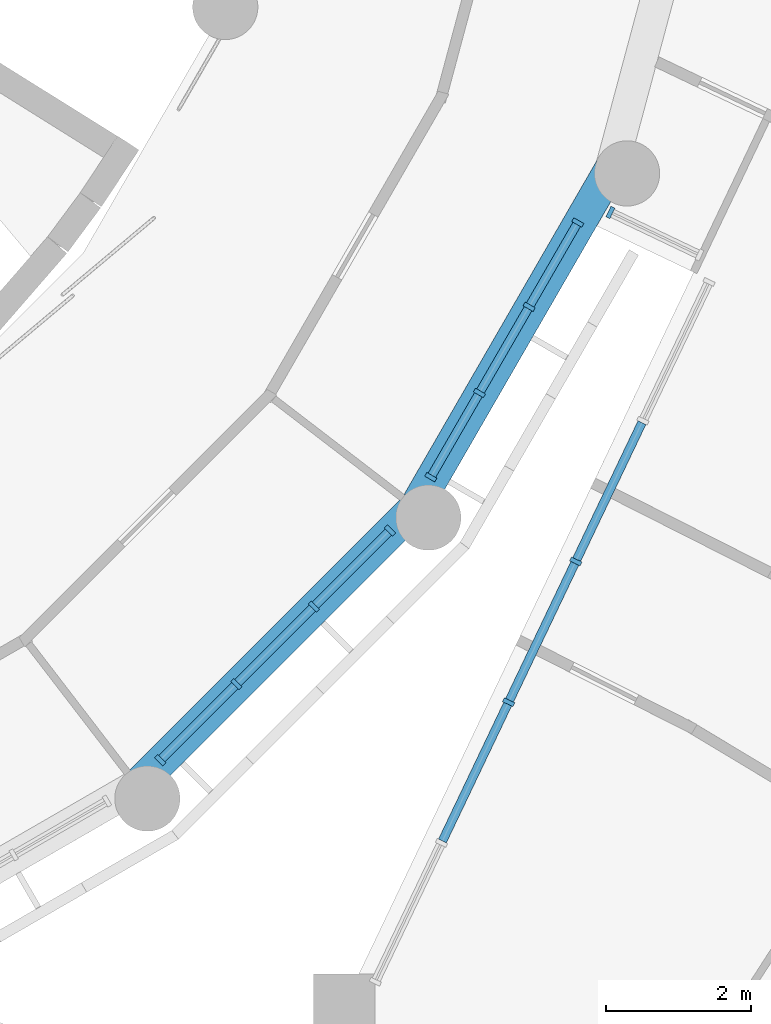
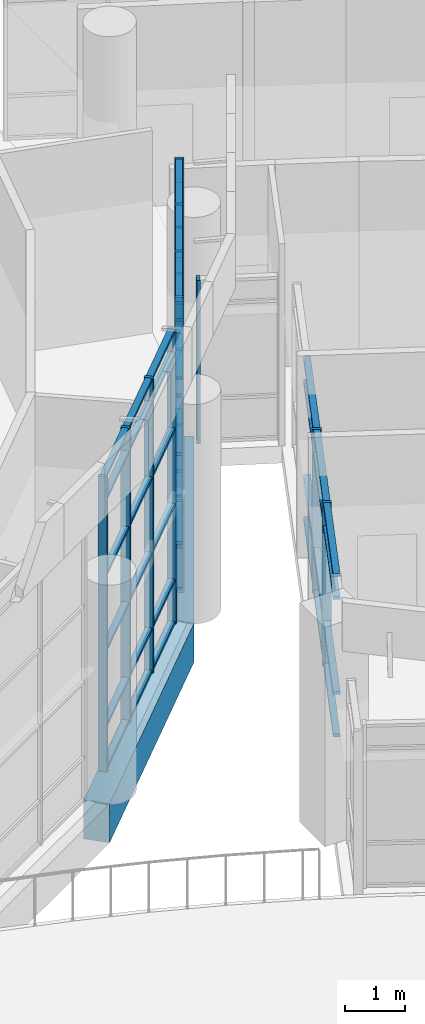
# One storey, part 14 of 136: 59 members, 2 beams, 4 elements without a shape of their own.
"""IFC4 building model written with IfcOpenShell, lengths in metres."""

from ifc_helpers import new_model, si_unit, direction, frame, origin, origin_2d, place, context, subcontext, project, spatial, rectangle, extrude, material, material_profile, profile_set, type_object, element, aggregate, save


model = new_model("IFC4")

# Units and contexts
model_context = context("Model", 3, precision=1e-05, world=origin(), true_north=direction((0.0, 1.0)))
body_context = subcontext(model_context, "Body", "Model", "MODEL_VIEW")
ifc_project = project(units=[si_unit("LENGTHUNIT", "METRE"), si_unit("AREAUNIT", "SQUARE_METRE"), si_unit("VOLUMEUNIT", "CUBIC_METRE"), si_unit("PLANEANGLEUNIT", "RADIAN"), si_unit("MASSUNIT", "GRAM", prefix="KILO")], contexts=[model_context])

# Site, building, storey
site_placement = place(None, origin())
site = spatial("IfcSite", under=ifc_project, at=site_placement, CompositionType="ELEMENT")
building_placement = place(site_placement, origin())
building = spatial("IfcBuilding", under=site, at=building_placement, Name="Bougainvillea Quay General Hospital", CompositionType="ELEMENT")
storey_placement = place(building_placement, frame((0.0, 0.0, 5.39990234375)))
storey = spatial("IfcBuildingStorey", under=building, at=storey_placement, Name="L01", CompositionType="ELEMENT", Elevation=5.39990234375)

# Curtain wall, member
ifc_material_1 = material(Name="Aluminium curtain wall system, powder-coated glazed", Category="aluminium")
curtain_wall_type_1 = type_object("IfcCurtainWallType", Name="Unitised curtain wall CW-1422", PredefinedType="NOTDEFINED", material=ifc_material_1)
curtain_wall_1_placement = place(storey_placement, origin())
curtain_wall_1 = element("IfcCurtainWall", 1, at=curtain_wall_1_placement, inside=storey, type_object=curtain_wall_type_1, Name="CW-AE 00", PredefinedType="NOTDEFINED")
ifc_material_2 = material(Name="Aluminium mullion, powder-coated charcoal", Category="aluminium")
ifc_material_profile_1 = material_profile(ifc_material_2, rectangle(XDim=0.159912109375, YDim=0.06005859375, at=origin_2d()))
ifc_profile_set_1 = profile_set([ifc_material_profile_1], Name="Aluminium mullion, powder-coated charcoal")
member_type_1 = type_object("IfcMemberType", Name="Curtain wall mullion 160x60", PredefinedType="MULLION", material=ifc_profile_set_1)
member_1_placement = place(storey_placement, frame((128.371826171875, 65.4267578125, 0.0), z_axis=(0.0, 0.0, 1.0), x_axis=(0.430534245195, 0.902574242771, 0.0)))
member_1 = element("IfcMember", 2, at=member_1_placement, type_object=member_type_1, Name="CW-AE mullion 1", PredefinedType="MULLION", context=body_context, shape_type="SweptSolid", body=[
    extrude(rectangle(XDim=0.159912109375, YDim=0.06005859375, at=origin_2d()), origin(), (0.0, 0.0, 1.0), 3.35009765625),
])
aggregate(curtain_wall_1, [member_1])

# Curtain wall, members
curtain_wall_type_2 = type_object("IfcCurtainWallType", Name="Unitised curtain wall CW-2152", PredefinedType="NOTDEFINED", material=ifc_material_1)
curtain_wall_2_placement = place(storey_placement, origin())
curtain_wall_2 = element("IfcCurtainWall", 3, at=curtain_wall_2_placement, inside=storey, type_object=curtain_wall_type_2, Name="CW-AE 00", PredefinedType="NOTDEFINED")
member_2_placement = place(storey_placement, frame((127.8935546875, 60.611328125, 0.0), z_axis=(0.0, 0.0, 1.0), x_axis=(0.902576055431, -0.430530445105, 0.0)))
member_2 = element("IfcMember", 4, at=member_2_placement, type_object=member_type_1, Name="CW-AE mullion 3", PredefinedType="MULLION", context=body_context, shape_type="SweptSolid", body=[
    extrude(rectangle(XDim=0.159912109375, YDim=0.06005859375, at=origin_2d()), origin(), (0.0, 0.0, 1.0), 3.35009765625),
])
member_3_placement = place(storey_placement, frame((126.96728515625, 58.669921875, 0.0), z_axis=(0.0, 0.0, 1.0), x_axis=(0.902576055431, -0.430530445105, 0.0)))
member_3 = element("IfcMember", 5, at=member_3_placement, type_object=member_type_1, Name="CW-AE mullion 4", PredefinedType="MULLION", context=body_context, shape_type="SweptSolid", body=[
    extrude(rectangle(XDim=0.159912109375, YDim=0.06005859375, at=origin_2d()), origin(), (0.0, 0.0, 1.0), 3.35009765625),
])

curtain_wall_type_3 = type_object("IfcCurtainWallType", Name="Unitised curtain wall CW-1514", PredefinedType="NOTDEFINED", material=ifc_material_1)
curtain_wall_3_placement = place(storey_placement, origin())
curtain_wall_3 = element("IfcCurtainWall", 6, at=curtain_wall_3_placement, inside=storey, type_object=curtain_wall_type_3, Name="CW-D 00", PredefinedType="NOTDEFINED")
member_4_placement = place(storey_placement, frame((122.160888671875, 57.870361328125, 0.0), z_axis=(0.0, 0.0, 1.0), x_axis=(-0.707106781187, 0.707106781187, 0.0)))
member_4 = element("IfcMember", 7, at=member_4_placement, type_object=member_type_1, Name="CW-D mullion 1", PredefinedType="MULLION", context=body_context, shape_type="SweptSolid", body=[
    extrude(rectangle(XDim=0.159912109375, YDim=0.06005859375, at=origin_2d()), origin(), (0.0, 0.0, 1.0), 6.050048828125),
])
member_5_placement = place(storey_placement, frame((123.2099609375, 58.919677734375, 0.0), z_axis=(0.0, 0.0, 1.0), x_axis=(-0.707106781187, 0.707106781187, 0.0)))
member_5 = element("IfcMember", 8, at=member_5_placement, type_object=member_type_1, Name="CW-D mullion 2", PredefinedType="MULLION", context=body_context, shape_type="SweptSolid", body=[
    extrude(rectangle(XDim=0.159912109375, YDim=0.06005859375, at=origin_2d()), origin(), (0.0, 0.0, 1.0), 6.050048828125),
])
member_6_placement = place(storey_placement, frame((124.280517578125, 59.989990234375, 0.0), z_axis=(0.0, 0.0, 1.0), x_axis=(-0.707106781187, 0.707106781187, 0.0)))
member_6 = element("IfcMember", 9, at=member_6_placement, type_object=member_type_1, Name="CW-D mullion 3", PredefinedType="MULLION", context=body_context, shape_type="SweptSolid", body=[
    extrude(rectangle(XDim=0.159912109375, YDim=0.06005859375, at=origin_2d()), origin(), (0.0, 0.0, 1.0), 6.050048828125),
])
member_7_placement = place(storey_placement, frame((125.32958984375, 61.039306640625, 0.0), z_axis=(0.0, 0.0, 1.0), x_axis=(-0.707106781187, 0.707106781187, 0.0)))
member_7 = element("IfcMember", 10, at=member_7_placement, type_object=member_type_1, Name="CW-D mullion 4", PredefinedType="MULLION", context=body_context, shape_type="SweptSolid", body=[
    extrude(rectangle(XDim=0.159912109375, YDim=0.06005859375, at=origin_2d()), origin(), (0.0, 0.0, 1.0), 6.050048828125),
])

curtain_wall_type_4 = type_object("IfcCurtainWallType", Name="Unitised curtain wall CW-1373", PredefinedType="NOTDEFINED", material=ifc_material_1)
curtain_wall_4_placement = place(storey_placement, origin())
curtain_wall_4 = element("IfcCurtainWall", 11, at=curtain_wall_4_placement, inside=storey, type_object=curtain_wall_type_4, Name="CW-D 00", PredefinedType="NOTDEFINED")
member_8_placement = place(storey_placement, frame((125.8935546875, 61.77392578125, 0.0), z_axis=(0.0, 0.0, 1.0), x_axis=(-0.866047615473, 0.499961526253, 0.0)))
member_8 = element("IfcMember", 12, at=member_8_placement, type_object=member_type_1, Name="CW-D mullion 1", PredefinedType="MULLION", context=body_context, shape_type="SweptSolid", body=[
    extrude(rectangle(XDim=0.159912109375, YDim=0.06005859375, at=origin_2d()), origin(), (0.0, 0.0, 1.0), 6.050048828125),
])
member_9_placement = place(storey_placement, frame((126.564453125, 62.936279296875, 0.0), z_axis=(0.0, 0.0, 1.0), x_axis=(-0.866047615473, 0.499961526253, 0.0)))
member_9 = element("IfcMember", 13, at=member_9_placement, type_object=member_type_1, Name="CW-D mullion 2", PredefinedType="MULLION", context=body_context, shape_type="SweptSolid", body=[
    extrude(rectangle(XDim=0.159912109375, YDim=0.06005859375, at=origin_2d()), origin(), (0.0, 0.0, 1.0), 6.050048828125),
])
member_10_placement = place(storey_placement, frame((127.25048828125, 64.124755859375, 0.0), z_axis=(0.0, 0.0, 1.0), x_axis=(-0.866047615473, 0.499961526253, 0.0)))
member_10 = element("IfcMember", 14, at=member_10_placement, type_object=member_type_1, Name="CW-D mullion 3", PredefinedType="MULLION", context=body_context, shape_type="SweptSolid", body=[
    extrude(rectangle(XDim=0.159912109375, YDim=0.06005859375, at=origin_2d()), origin(), (0.0, 0.0, 1.0), 6.050048828125),
])
member_11_placement = place(storey_placement, frame((127.92138671875, 65.287109375, 0.0), z_axis=(0.0, 0.0, 1.0), x_axis=(-0.866047615473, 0.499961526253, 0.0)))
member_11 = element("IfcMember", 15, at=member_11_placement, type_object=member_type_1, Name="CW-D mullion 4", PredefinedType="MULLION", context=body_context, shape_type="SweptSolid", body=[
    extrude(rectangle(XDim=0.159912109375, YDim=0.06005859375, at=origin_2d()), origin(), (0.0, 0.0, 1.0), 6.050048828125),
])

# Member
ifc_material_3 = material(Name="Aluminium transom, powder-coated charcoal", Category="aluminium")
ifc_material_profile_2 = material_profile(ifc_material_3, rectangle(XDim=0.1201171875, YDim=0.06005859375, at=origin_2d()))
ifc_profile_set_2 = profile_set([ifc_material_profile_2], Name="Aluminium transom, powder-coated charcoal")
member_type_2 = type_object("IfcMemberType", Name="Curtain wall transom 120x60", PredefinedType="USERDEFINED", material=ifc_profile_set_2)
member_12_placement = place(storey_placement, frame((128.806640625, 62.52587890625, 0.030029296875), z_axis=(-0.430463744841, -0.902607868555, 0.0), x_axis=(0.902607868555, -0.430463744841, 0.0)))
member_12 = element("IfcMember", 16, at=member_12_placement, type_object=member_type_2, Name="CW-AE transom 2.1", ObjectType="TRANSOM", PredefinedType="USERDEFINED", context=body_context, shape_type="SweptSolid", body=[
    extrude(rectangle(XDim=0.1201171875, YDim=0.06005859375, at=origin_2d()), origin(), (0.0, 0.0, 1.0), 2.091064453125),
])

member_13_placement = place(storey_placement, frame((128.806640625, 62.52587890625, 0.900146484375), z_axis=(-0.430463744841, -0.902607868555, 0.0), x_axis=(0.902607868555, -0.430463744841, 0.0)))
member_13 = element("IfcMember", 17, at=member_13_placement, type_object=member_type_2, Name="CW-AE transom 2.2", ObjectType="TRANSOM", PredefinedType="USERDEFINED", context=body_context, shape_type="SweptSolid", body=[
    extrude(rectangle(XDim=0.1201171875, YDim=0.06005859375, at=origin_2d()), origin(), (0.0, 0.0, 1.0), 2.091064453125),
])

member_14_placement = place(storey_placement, frame((128.806640625, 62.52587890625, 2.85009765625), z_axis=(-0.430463744841, -0.902607868555, 0.0), x_axis=(0.902607868555, -0.430463744841, 0.0)))
member_14 = element("IfcMember", 18, at=member_14_placement, type_object=member_type_2, Name="CW-AE transom 2.3", ObjectType="TRANSOM", PredefinedType="USERDEFINED", context=body_context, shape_type="SweptSolid", body=[
    extrude(rectangle(XDim=0.1201171875, YDim=0.06005859375, at=origin_2d()), origin(), (0.0, 0.0, 1.0), 2.091064453125),
])

member_15_placement = place(storey_placement, frame((128.806640625, 62.52587890625, 3.320068359375), z_axis=(-0.430463744841, -0.902607868555, 0.0), x_axis=(0.902607868555, -0.430463744841, 0.0)))
member_15 = element("IfcMember", 19, at=member_15_placement, type_object=member_type_2, Name="CW-AE transom 2.4", ObjectType="TRANSOM", PredefinedType="USERDEFINED", context=body_context, shape_type="SweptSolid", body=[
    extrude(rectangle(XDim=0.1201171875, YDim=0.06005859375, at=origin_2d()), origin(), (0.0, 0.0, 1.0), 2.091064453125),
])

member_16_placement = place(storey_placement, frame((127.880615234375, 60.584228515625, 0.030029296875), z_axis=(-0.430604227867, -0.902540857215, 0.0), x_axis=(0.902540857215, -0.430604227867, 0.0)))
member_16 = element("IfcMember", 20, at=member_16_placement, type_object=member_type_2, Name="CW-AE transom 3.1", ObjectType="TRANSOM", PredefinedType="USERDEFINED", context=body_context, shape_type="SweptSolid", body=[
    extrude(rectangle(XDim=0.1201171875, YDim=0.06005859375, at=origin_2d()), origin(), (0.0, 0.0, 1.0), 2.091064453125),
])

member_17_placement = place(storey_placement, frame((127.880615234375, 60.584228515625, 0.900146484375), z_axis=(-0.430604227867, -0.902540857215, 0.0), x_axis=(0.902540857215, -0.430604227867, 0.0)))
member_17 = element("IfcMember", 21, at=member_17_placement, type_object=member_type_2, Name="CW-AE transom 3.2", ObjectType="TRANSOM", PredefinedType="USERDEFINED", context=body_context, shape_type="SweptSolid", body=[
    extrude(rectangle(XDim=0.1201171875, YDim=0.06005859375, at=origin_2d()), origin(), (0.0, 0.0, 1.0), 2.091064453125),
])

member_18_placement = place(storey_placement, frame((127.880615234375, 60.584228515625, 2.85009765625), z_axis=(-0.430604227867, -0.902540857215, 0.0), x_axis=(0.902540857215, -0.430604227867, 0.0)))
member_18 = element("IfcMember", 22, at=member_18_placement, type_object=member_type_2, Name="CW-AE transom 3.3", ObjectType="TRANSOM", PredefinedType="USERDEFINED", context=body_context, shape_type="SweptSolid", body=[
    extrude(rectangle(XDim=0.1201171875, YDim=0.06005859375, at=origin_2d()), origin(), (0.0, 0.0, 1.0), 2.091064453125),
])

member_19_placement = place(storey_placement, frame((127.880615234375, 60.584228515625, 3.320068359375), z_axis=(-0.430604227867, -0.902540857215, 0.0), x_axis=(0.902540857215, -0.430604227867, 0.0)))
member_19 = element("IfcMember", 23, at=member_19_placement, type_object=member_type_2, Name="CW-AE transom 3.4", ObjectType="TRANSOM", PredefinedType="USERDEFINED", context=body_context, shape_type="SweptSolid", body=[
    extrude(rectangle(XDim=0.1201171875, YDim=0.06005859375, at=origin_2d()), origin(), (0.0, 0.0, 1.0), 2.091064453125),
])

member_20_placement = place(storey_placement, frame((126.95458984375, 58.642822265625, 0.030029296875), z_axis=(-0.430604227867, -0.902540857215, 0.0), x_axis=(0.902540857215, -0.430604227867, 0.0)))
member_20 = element("IfcMember", 24, at=member_20_placement, type_object=member_type_2, Name="CW-AE transom 4.1", ObjectType="TRANSOM", PredefinedType="USERDEFINED", context=body_context, shape_type="SweptSolid", body=[
    extrude(rectangle(XDim=0.1201171875, YDim=0.06005859375, at=origin_2d()), origin(), (0.0, 0.0, 1.0), 2.091064453125),
])

member_21_placement = place(storey_placement, frame((126.95458984375, 58.642822265625, 0.900146484375), z_axis=(-0.430604227867, -0.902540857215, 0.0), x_axis=(0.902540857215, -0.430604227867, 0.0)))
member_21 = element("IfcMember", 25, at=member_21_placement, type_object=member_type_2, Name="CW-AE transom 4.2", ObjectType="TRANSOM", PredefinedType="USERDEFINED", context=body_context, shape_type="SweptSolid", body=[
    extrude(rectangle(XDim=0.1201171875, YDim=0.06005859375, at=origin_2d()), origin(), (0.0, 0.0, 1.0), 2.091064453125),
])

member_22_placement = place(storey_placement, frame((126.95458984375, 58.642822265625, 2.85009765625), z_axis=(-0.430604227867, -0.902540857215, 0.0), x_axis=(0.902540857215, -0.430604227867, 0.0)))
member_22 = element("IfcMember", 26, at=member_22_placement, type_object=member_type_2, Name="CW-AE transom 4.3", ObjectType="TRANSOM", PredefinedType="USERDEFINED", context=body_context, shape_type="SweptSolid", body=[
    extrude(rectangle(XDim=0.1201171875, YDim=0.06005859375, at=origin_2d()), origin(), (0.0, 0.0, 1.0), 2.091064453125),
])

member_23_placement = place(storey_placement, frame((126.95458984375, 58.642822265625, 3.320068359375), z_axis=(-0.430604227867, -0.902540857215, 0.0), x_axis=(0.902540857215, -0.430604227867, 0.0)))
member_23 = element("IfcMember", 27, at=member_23_placement, type_object=member_type_2, Name="CW-AE transom 4.4", ObjectType="TRANSOM", PredefinedType="USERDEFINED", context=body_context, shape_type="SweptSolid", body=[
    extrude(rectangle(XDim=0.1201171875, YDim=0.06005859375, at=origin_2d()), origin(), (0.0, 0.0, 1.0), 2.091064453125),
])

aggregate(curtain_wall_2, [member_2, member_3, member_12, member_13, member_14, member_15, member_16, member_17, member_18, member_19, member_20, member_21, member_22, member_23])

member_24_placement = place(storey_placement, frame((122.181884765625, 57.8916015625, 0.030029296875), z_axis=(0.707106781187, 0.707106781187, 0.0), x_axis=(-0.707106781187, 0.707106781187, 0.0)))
member_24 = element("IfcMember", 28, at=member_24_placement, type_object=member_type_2, Name="CW-D transom 1.1", ObjectType="TRANSOM", PredefinedType="USERDEFINED", context=body_context, shape_type="SweptSolid", body=[
    extrude(rectangle(XDim=0.1201171875, YDim=0.06005859375, at=origin_2d()), origin(), (0.0, 0.0, 1.0), 1.423828125),
])

member_25_placement = place(storey_placement, frame((122.181884765625, 57.8916015625, 0.900146484375), z_axis=(0.707106781187, 0.707106781187, 0.0), x_axis=(-0.707106781187, 0.707106781187, 0.0)))
member_25 = element("IfcMember", 29, at=member_25_placement, type_object=member_type_2, Name="CW-D transom 1.2", ObjectType="TRANSOM", PredefinedType="USERDEFINED", context=body_context, shape_type="SweptSolid", body=[
    extrude(rectangle(XDim=0.1201171875, YDim=0.06005859375, at=origin_2d()), origin(), (0.0, 0.0, 1.0), 1.423828125),
])

member_26_placement = place(storey_placement, frame((122.181884765625, 57.8916015625, 2.4501953125), z_axis=(0.707106781187, 0.707106781187, 0.0), x_axis=(-0.707106781187, 0.707106781187, 0.0)))
member_26 = element("IfcMember", 30, at=member_26_placement, type_object=member_type_2, Name="CW-D transom 1.3", ObjectType="TRANSOM", PredefinedType="USERDEFINED", context=body_context, shape_type="SweptSolid", body=[
    extrude(rectangle(XDim=0.1201171875, YDim=0.06005859375, at=origin_2d()), origin(), (0.0, 0.0, 1.0), 1.423828125),
])

member_27_placement = place(storey_placement, frame((122.181884765625, 57.8916015625, 4.0), z_axis=(0.707106781187, 0.707106781187, 0.0), x_axis=(-0.707106781187, 0.707106781187, 0.0)))
member_27 = element("IfcMember", 31, at=member_27_placement, type_object=member_type_2, Name="CW-D transom 1.4", ObjectType="TRANSOM", PredefinedType="USERDEFINED", context=body_context, shape_type="SweptSolid", body=[
    extrude(rectangle(XDim=0.1201171875, YDim=0.06005859375, at=origin_2d()), origin(), (0.0, 0.0, 1.0), 1.423828125),
])

member_28_placement = place(storey_placement, frame((122.181884765625, 57.8916015625, 5.550048828125), z_axis=(0.707106781187, 0.707106781187, 0.0), x_axis=(-0.707106781187, 0.707106781187, 0.0)))
member_28 = element("IfcMember", 32, at=member_28_placement, type_object=member_type_2, Name="CW-D transom 1.5", ObjectType="TRANSOM", PredefinedType="USERDEFINED", context=body_context, shape_type="SweptSolid", body=[
    extrude(rectangle(XDim=0.1201171875, YDim=0.06005859375, at=origin_2d()), origin(), (0.0, 0.0, 1.0), 1.423828125),
])

member_29_placement = place(storey_placement, frame((122.181884765625, 57.8916015625, 6.02001953125), z_axis=(0.707106781187, 0.707106781187, 0.0), x_axis=(-0.707106781187, 0.707106781187, 0.0)))
member_29 = element("IfcMember", 33, at=member_29_placement, type_object=member_type_2, Name="CW-D transom 1.6", ObjectType="TRANSOM", PredefinedType="USERDEFINED", context=body_context, shape_type="SweptSolid", body=[
    extrude(rectangle(XDim=0.1201171875, YDim=0.06005859375, at=origin_2d()), origin(), (0.0, 0.0, 1.0), 1.423828125),
])

member_30_placement = place(storey_placement, frame((123.231201171875, 58.940673828125, 0.030029296875), z_axis=(0.707106781187, 0.707106781187, 0.0), x_axis=(-0.707106781187, 0.707106781187, 0.0)))
member_30 = element("IfcMember", 34, at=member_30_placement, type_object=member_type_2, Name="CW-D transom 2.1", ObjectType="TRANSOM", PredefinedType="USERDEFINED", context=body_context, shape_type="SweptSolid", body=[
    extrude(rectangle(XDim=0.1201171875, YDim=0.06005859375, at=origin_2d()), origin(), (0.0, 0.0, 1.0), 1.453857421875),
])

member_31_placement = place(storey_placement, frame((123.231201171875, 58.940673828125, 0.900146484375), z_axis=(0.707106781187, 0.707106781187, 0.0), x_axis=(-0.707106781187, 0.707106781187, 0.0)))
member_31 = element("IfcMember", 35, at=member_31_placement, type_object=member_type_2, Name="CW-D transom 2.2", ObjectType="TRANSOM", PredefinedType="USERDEFINED", context=body_context, shape_type="SweptSolid", body=[
    extrude(rectangle(XDim=0.1201171875, YDim=0.06005859375, at=origin_2d()), origin(), (0.0, 0.0, 1.0), 1.453857421875),
])

member_32_placement = place(storey_placement, frame((123.231201171875, 58.940673828125, 2.4501953125), z_axis=(0.707106781187, 0.707106781187, 0.0), x_axis=(-0.707106781187, 0.707106781187, 0.0)))
member_32 = element("IfcMember", 36, at=member_32_placement, type_object=member_type_2, Name="CW-D transom 2.3", ObjectType="TRANSOM", PredefinedType="USERDEFINED", context=body_context, shape_type="SweptSolid", body=[
    extrude(rectangle(XDim=0.1201171875, YDim=0.06005859375, at=origin_2d()), origin(), (0.0, 0.0, 1.0), 1.453857421875),
])

member_33_placement = place(storey_placement, frame((123.231201171875, 58.940673828125, 4.0), z_axis=(0.707106781187, 0.707106781187, 0.0), x_axis=(-0.707106781187, 0.707106781187, 0.0)))
member_33 = element("IfcMember", 37, at=member_33_placement, type_object=member_type_2, Name="CW-D transom 2.4", ObjectType="TRANSOM", PredefinedType="USERDEFINED", context=body_context, shape_type="SweptSolid", body=[
    extrude(rectangle(XDim=0.1201171875, YDim=0.06005859375, at=origin_2d()), origin(), (0.0, 0.0, 1.0), 1.453857421875),
])

member_34_placement = place(storey_placement, frame((123.231201171875, 58.940673828125, 5.550048828125), z_axis=(0.707106781187, 0.707106781187, 0.0), x_axis=(-0.707106781187, 0.707106781187, 0.0)))
member_34 = element("IfcMember", 38, at=member_34_placement, type_object=member_type_2, Name="CW-D transom 2.5", ObjectType="TRANSOM", PredefinedType="USERDEFINED", context=body_context, shape_type="SweptSolid", body=[
    extrude(rectangle(XDim=0.1201171875, YDim=0.06005859375, at=origin_2d()), origin(), (0.0, 0.0, 1.0), 1.453857421875),
])

member_35_placement = place(storey_placement, frame((123.231201171875, 58.940673828125, 6.02001953125), z_axis=(0.707106781187, 0.707106781187, 0.0), x_axis=(-0.707106781187, 0.707106781187, 0.0)))
member_35 = element("IfcMember", 39, at=member_35_placement, type_object=member_type_2, Name="CW-D transom 2.6", ObjectType="TRANSOM", PredefinedType="USERDEFINED", context=body_context, shape_type="SweptSolid", body=[
    extrude(rectangle(XDim=0.1201171875, YDim=0.06005859375, at=origin_2d()), origin(), (0.0, 0.0, 1.0), 1.453857421875),
])

member_36_placement = place(storey_placement, frame((124.3017578125, 60.01123046875, 0.030029296875), z_axis=(0.707021034897, 0.707192517079, 0.0), x_axis=(-0.707192517079, 0.707021034897, 0.0)))
member_36 = element("IfcMember", 40, at=member_36_placement, type_object=member_type_2, Name="CW-D transom 3.1", ObjectType="TRANSOM", PredefinedType="USERDEFINED", context=body_context, shape_type="SweptSolid", body=[
    extrude(rectangle(XDim=0.1201171875, YDim=0.06005859375, at=origin_2d()), origin(), (0.0, 0.0, 1.0), 1.423828125),
])

member_37_placement = place(storey_placement, frame((124.3017578125, 60.01123046875, 0.900146484375), z_axis=(0.707021034897, 0.707192517079, 0.0), x_axis=(-0.707192517079, 0.707021034897, 0.0)))
member_37 = element("IfcMember", 41, at=member_37_placement, type_object=member_type_2, Name="CW-D transom 3.2", ObjectType="TRANSOM", PredefinedType="USERDEFINED", context=body_context, shape_type="SweptSolid", body=[
    extrude(rectangle(XDim=0.1201171875, YDim=0.06005859375, at=origin_2d()), origin(), (0.0, 0.0, 1.0), 1.423828125),
])

member_38_placement = place(storey_placement, frame((124.3017578125, 60.01123046875, 2.4501953125), z_axis=(0.707021034897, 0.707192517079, 0.0), x_axis=(-0.707192517079, 0.707021034897, 0.0)))
member_38 = element("IfcMember", 42, at=member_38_placement, type_object=member_type_2, Name="CW-D transom 3.3", ObjectType="TRANSOM", PredefinedType="USERDEFINED", context=body_context, shape_type="SweptSolid", body=[
    extrude(rectangle(XDim=0.1201171875, YDim=0.06005859375, at=origin_2d()), origin(), (0.0, 0.0, 1.0), 1.423828125),
])

member_39_placement = place(storey_placement, frame((124.3017578125, 60.01123046875, 4.0), z_axis=(0.707021034897, 0.707192517079, 0.0), x_axis=(-0.707192517079, 0.707021034897, 0.0)))
member_39 = element("IfcMember", 43, at=member_39_placement, type_object=member_type_2, Name="CW-D transom 3.4", ObjectType="TRANSOM", PredefinedType="USERDEFINED", context=body_context, shape_type="SweptSolid", body=[
    extrude(rectangle(XDim=0.1201171875, YDim=0.06005859375, at=origin_2d()), origin(), (0.0, 0.0, 1.0), 1.423828125),
])

member_40_placement = place(storey_placement, frame((124.3017578125, 60.01123046875, 5.550048828125), z_axis=(0.707021034897, 0.707192517079, 0.0), x_axis=(-0.707192517079, 0.707021034897, 0.0)))
member_40 = element("IfcMember", 44, at=member_40_placement, type_object=member_type_2, Name="CW-D transom 3.5", ObjectType="TRANSOM", PredefinedType="USERDEFINED", context=body_context, shape_type="SweptSolid", body=[
    extrude(rectangle(XDim=0.1201171875, YDim=0.06005859375, at=origin_2d()), origin(), (0.0, 0.0, 1.0), 1.423828125),
])

member_41_placement = place(storey_placement, frame((124.3017578125, 60.01123046875, 6.02001953125), z_axis=(0.707021034897, 0.707192517079, 0.0), x_axis=(-0.707192517079, 0.707021034897, 0.0)))
member_41 = element("IfcMember", 45, at=member_41_placement, type_object=member_type_2, Name="CW-D transom 3.6", ObjectType="TRANSOM", PredefinedType="USERDEFINED", context=body_context, shape_type="SweptSolid", body=[
    extrude(rectangle(XDim=0.1201171875, YDim=0.06005859375, at=origin_2d()), origin(), (0.0, 0.0, 1.0), 1.423828125),
])

aggregate(curtain_wall_3, [member_4, member_5, member_6, member_7, member_24, member_25, member_26, member_27, member_28, member_29, member_30, member_31, member_32, member_33, member_34, member_35, member_36, member_37, member_38, member_39, member_40, member_41])

member_42_placement = place(storey_placement, frame((125.908447265625, 61.800048828125, 0.030029296875), z_axis=(0.500030129425, 0.866008007854, 0.0), x_axis=(-0.866008007854, 0.500030129425, 0.0)))
member_42 = element("IfcMember", 46, at=member_42_placement, type_object=member_type_2, Name="CW-D transom 1.1", ObjectType="TRANSOM", PredefinedType="USERDEFINED", context=body_context, shape_type="SweptSolid", body=[
    extrude(rectangle(XDim=0.1201171875, YDim=0.06005859375, at=origin_2d()), origin(), (0.0, 0.0, 1.0), 1.2822265625),
])

member_43_placement = place(storey_placement, frame((125.908447265625, 61.800048828125, 0.900146484375), z_axis=(0.500030129425, 0.866008007854, 0.0), x_axis=(-0.866008007854, 0.500030129425, 0.0)))
member_43 = element("IfcMember", 47, at=member_43_placement, type_object=member_type_2, Name="CW-D transom 1.2", ObjectType="TRANSOM", PredefinedType="USERDEFINED", context=body_context, shape_type="SweptSolid", body=[
    extrude(rectangle(XDim=0.1201171875, YDim=0.06005859375, at=origin_2d()), origin(), (0.0, 0.0, 1.0), 1.2822265625),
])

member_44_placement = place(storey_placement, frame((125.908447265625, 61.800048828125, 2.4501953125), z_axis=(0.500030129425, 0.866008007854, 0.0), x_axis=(-0.866008007854, 0.500030129425, 0.0)))
member_44 = element("IfcMember", 48, at=member_44_placement, type_object=member_type_2, Name="CW-D transom 1.3", ObjectType="TRANSOM", PredefinedType="USERDEFINED", context=body_context, shape_type="SweptSolid", body=[
    extrude(rectangle(XDim=0.1201171875, YDim=0.06005859375, at=origin_2d()), origin(), (0.0, 0.0, 1.0), 1.2822265625),
])

member_45_placement = place(storey_placement, frame((125.908447265625, 61.800048828125, 4.0), z_axis=(0.500030129425, 0.866008007854, 0.0), x_axis=(-0.866008007854, 0.500030129425, 0.0)))
member_45 = element("IfcMember", 49, at=member_45_placement, type_object=member_type_2, Name="CW-D transom 1.4", ObjectType="TRANSOM", PredefinedType="USERDEFINED", context=body_context, shape_type="SweptSolid", body=[
    extrude(rectangle(XDim=0.1201171875, YDim=0.06005859375, at=origin_2d()), origin(), (0.0, 0.0, 1.0), 1.2822265625),
])

member_46_placement = place(storey_placement, frame((125.908447265625, 61.800048828125, 5.550048828125), z_axis=(0.500030129425, 0.866008007854, 0.0), x_axis=(-0.866008007854, 0.500030129425, 0.0)))
member_46 = element("IfcMember", 50, at=member_46_placement, type_object=member_type_2, Name="CW-D transom 1.5", ObjectType="TRANSOM", PredefinedType="USERDEFINED", context=body_context, shape_type="SweptSolid", body=[
    extrude(rectangle(XDim=0.1201171875, YDim=0.06005859375, at=origin_2d()), origin(), (0.0, 0.0, 1.0), 1.2822265625),
])

member_47_placement = place(storey_placement, frame((125.908447265625, 61.800048828125, 6.02001953125), z_axis=(0.500030129425, 0.866008007854, 0.0), x_axis=(-0.866008007854, 0.500030129425, 0.0)))
member_47 = element("IfcMember", 51, at=member_47_placement, type_object=member_type_2, Name="CW-D transom 1.6", ObjectType="TRANSOM", PredefinedType="USERDEFINED", context=body_context, shape_type="SweptSolid", body=[
    extrude(rectangle(XDim=0.1201171875, YDim=0.06005859375, at=origin_2d()), origin(), (0.0, 0.0, 1.0), 1.2822265625),
])

member_48_placement = place(storey_placement, frame((126.57958984375, 62.96240234375, 0.030029296875), z_axis=(0.500001653409, 0.866024449186, 0.0), x_axis=(-0.866024449186, 0.500001653409, 0.0)))
member_48 = element("IfcMember", 52, at=member_48_placement, type_object=member_type_2, Name="CW-D transom 2.1", ObjectType="TRANSOM", PredefinedType="USERDEFINED", context=body_context, shape_type="SweptSolid", body=[
    extrude(rectangle(XDim=0.1201171875, YDim=0.06005859375, at=origin_2d()), origin(), (0.0, 0.0, 1.0), 1.31201171875),
])

member_49_placement = place(storey_placement, frame((126.57958984375, 62.96240234375, 0.900146484375), z_axis=(0.500001653409, 0.866024449186, 0.0), x_axis=(-0.866024449186, 0.500001653409, 0.0)))
member_49 = element("IfcMember", 53, at=member_49_placement, type_object=member_type_2, Name="CW-D transom 2.2", ObjectType="TRANSOM", PredefinedType="USERDEFINED", context=body_context, shape_type="SweptSolid", body=[
    extrude(rectangle(XDim=0.1201171875, YDim=0.06005859375, at=origin_2d()), origin(), (0.0, 0.0, 1.0), 1.31201171875),
])

member_50_placement = place(storey_placement, frame((126.57958984375, 62.96240234375, 2.4501953125), z_axis=(0.500001653409, 0.866024449186, 0.0), x_axis=(-0.866024449186, 0.500001653409, 0.0)))
member_50 = element("IfcMember", 54, at=member_50_placement, type_object=member_type_2, Name="CW-D transom 2.3", ObjectType="TRANSOM", PredefinedType="USERDEFINED", context=body_context, shape_type="SweptSolid", body=[
    extrude(rectangle(XDim=0.1201171875, YDim=0.06005859375, at=origin_2d()), origin(), (0.0, 0.0, 1.0), 1.31201171875),
])

member_51_placement = place(storey_placement, frame((126.57958984375, 62.96240234375, 4.0), z_axis=(0.500001653409, 0.866024449186, 0.0), x_axis=(-0.866024449186, 0.500001653409, 0.0)))
member_51 = element("IfcMember", 55, at=member_51_placement, type_object=member_type_2, Name="CW-D transom 2.4", ObjectType="TRANSOM", PredefinedType="USERDEFINED", context=body_context, shape_type="SweptSolid", body=[
    extrude(rectangle(XDim=0.1201171875, YDim=0.06005859375, at=origin_2d()), origin(), (0.0, 0.0, 1.0), 1.31201171875),
])

member_52_placement = place(storey_placement, frame((126.57958984375, 62.96240234375, 5.550048828125), z_axis=(0.500001653409, 0.866024449186, 0.0), x_axis=(-0.866024449186, 0.500001653409, 0.0)))
member_52 = element("IfcMember", 56, at=member_52_placement, type_object=member_type_2, Name="CW-D transom 2.5", ObjectType="TRANSOM", PredefinedType="USERDEFINED", context=body_context, shape_type="SweptSolid", body=[
    extrude(rectangle(XDim=0.1201171875, YDim=0.06005859375, at=origin_2d()), origin(), (0.0, 0.0, 1.0), 1.31201171875),
])

member_53_placement = place(storey_placement, frame((126.57958984375, 62.96240234375, 6.02001953125), z_axis=(0.500001653409, 0.866024449186, 0.0), x_axis=(-0.866024449186, 0.500001653409, 0.0)))
member_53 = element("IfcMember", 57, at=member_53_placement, type_object=member_type_2, Name="CW-D transom 2.6", ObjectType="TRANSOM", PredefinedType="USERDEFINED", context=body_context, shape_type="SweptSolid", body=[
    extrude(rectangle(XDim=0.1201171875, YDim=0.06005859375, at=origin_2d()), origin(), (0.0, 0.0, 1.0), 1.31201171875),
])

member_54_placement = place(storey_placement, frame((127.265380859375, 64.150634765625, 0.030029296875), z_axis=(0.500030129425, 0.866008007854, 0.0), x_axis=(-0.866008007854, 0.500030129425, 0.0)))
member_54 = element("IfcMember", 58, at=member_54_placement, type_object=member_type_2, Name="CW-D transom 3.1", ObjectType="TRANSOM", PredefinedType="USERDEFINED", context=body_context, shape_type="SweptSolid", body=[
    extrude(rectangle(XDim=0.1201171875, YDim=0.06005859375, at=origin_2d()), origin(), (0.0, 0.0, 1.0), 1.2822265625),
])

member_55_placement = place(storey_placement, frame((127.265380859375, 64.150634765625, 0.900146484375), z_axis=(0.500030129425, 0.866008007854, 0.0), x_axis=(-0.866008007854, 0.500030129425, 0.0)))
member_55 = element("IfcMember", 59, at=member_55_placement, type_object=member_type_2, Name="CW-D transom 3.2", ObjectType="TRANSOM", PredefinedType="USERDEFINED", context=body_context, shape_type="SweptSolid", body=[
    extrude(rectangle(XDim=0.1201171875, YDim=0.06005859375, at=origin_2d()), origin(), (0.0, 0.0, 1.0), 1.2822265625),
])

member_56_placement = place(storey_placement, frame((127.265380859375, 64.150634765625, 2.4501953125), z_axis=(0.500030129425, 0.866008007854, 0.0), x_axis=(-0.866008007854, 0.500030129425, 0.0)))
member_56 = element("IfcMember", 60, at=member_56_placement, type_object=member_type_2, Name="CW-D transom 3.3", ObjectType="TRANSOM", PredefinedType="USERDEFINED", context=body_context, shape_type="SweptSolid", body=[
    extrude(rectangle(XDim=0.1201171875, YDim=0.06005859375, at=origin_2d()), origin(), (0.0, 0.0, 1.0), 1.2822265625),
])

member_57_placement = place(storey_placement, frame((127.265380859375, 64.150634765625, 4.0), z_axis=(0.500030129425, 0.866008007854, 0.0), x_axis=(-0.866008007854, 0.500030129425, 0.0)))
member_57 = element("IfcMember", 61, at=member_57_placement, type_object=member_type_2, Name="CW-D transom 3.4", ObjectType="TRANSOM", PredefinedType="USERDEFINED", context=body_context, shape_type="SweptSolid", body=[
    extrude(rectangle(XDim=0.1201171875, YDim=0.06005859375, at=origin_2d()), origin(), (0.0, 0.0, 1.0), 1.2822265625),
])

member_58_placement = place(storey_placement, frame((127.265380859375, 64.150634765625, 5.550048828125), z_axis=(0.500030129425, 0.866008007854, 0.0), x_axis=(-0.866008007854, 0.500030129425, 0.0)))
member_58 = element("IfcMember", 62, at=member_58_placement, type_object=member_type_2, Name="CW-D transom 3.5", ObjectType="TRANSOM", PredefinedType="USERDEFINED", context=body_context, shape_type="SweptSolid", body=[
    extrude(rectangle(XDim=0.1201171875, YDim=0.06005859375, at=origin_2d()), origin(), (0.0, 0.0, 1.0), 1.2822265625),
])

member_59_placement = place(storey_placement, frame((127.265380859375, 64.150634765625, 6.02001953125), z_axis=(0.500030129425, 0.866008007854, 0.0), x_axis=(-0.866008007854, 0.500030129425, 0.0)))
member_59 = element("IfcMember", 63, at=member_59_placement, type_object=member_type_2, Name="CW-D transom 3.6", ObjectType="TRANSOM", PredefinedType="USERDEFINED", context=body_context, shape_type="SweptSolid", body=[
    extrude(rectangle(XDim=0.1201171875, YDim=0.06005859375, at=origin_2d()), origin(), (0.0, 0.0, 1.0), 1.2822265625),
])

aggregate(curtain_wall_4, [member_8, member_9, member_10, member_11, member_42, member_43, member_44, member_45, member_46, member_47, member_48, member_49, member_50, member_51, member_52, member_53, member_54, member_55, member_56, member_57, member_58, member_59])

# Beams
ifc_material_4 = material(Name="Concrete C40", Category="concrete")
ifc_material_profile_3 = material_profile(ifc_material_4, rectangle(XDim=0.449951171875, YDim=0.800048828125, at=origin_2d()))
ifc_profile_set_3 = profile_set([ifc_material_profile_3], Name="Concrete C40")
beam_type = type_object("IfcBeamType", Name="RC BEAM 450x800 C40", PredefinedType="BEAM", material=ifc_profile_set_3)
beam_1_placement = place(storey_placement, frame((121.824951171875, 57.4990234375, -0.699951171875), z_axis=(0.707106781187, 0.707106781187, 0.0), x_axis=(-0.707106781187, 0.707106781187, 0.0)))
element("IfcBeam", 64, at=beam_1_placement, inside=storey, type_object=beam_type, Name="Edge beam L01", PredefinedType="BEAM", context=body_context, shape_type="SweptSolid", body=[
    extrude(rectangle(XDim=0.449951171875, YDim=0.800048828125, at=origin_2d()), origin(), (0.0, 0.0, 1.0), 5.4814453125),
])
beam_2_placement = place(storey_placement, frame((125.6650390625, 61.32861328125, -0.699951171875), z_axis=(0.500008994894, 0.866020210518, 0.0), x_axis=(-0.866020210518, 0.500008994894, 0.0)))
element("IfcBeam", 65, at=beam_2_placement, inside=storey, type_object=beam_type, Name="Edge beam L01", PredefinedType="BEAM", context=body_context, shape_type="SweptSolid", body=[
    extrude(rectangle(XDim=0.449951171875, YDim=0.800048828125, at=origin_2d()), origin(), (0.0, 0.0, 1.0), 5.482421875),
])

save(model, "model.ifc")
